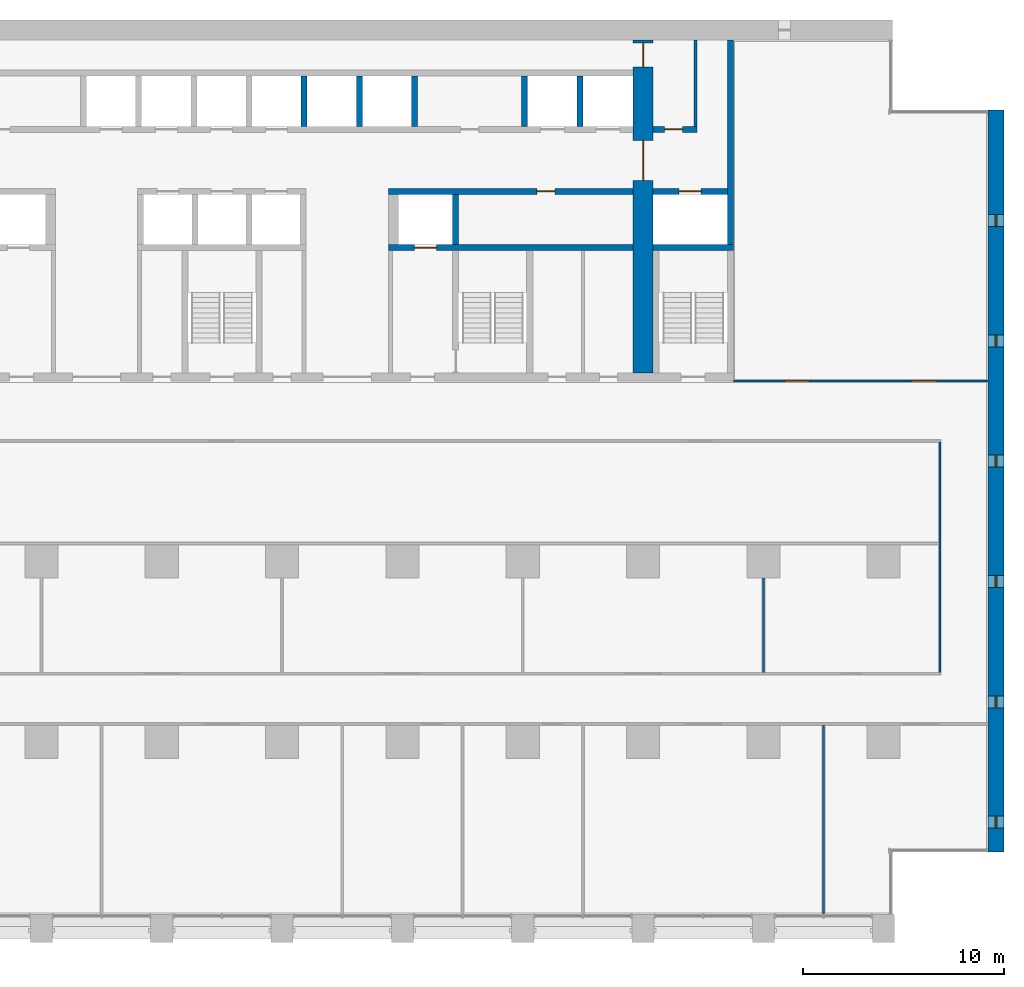
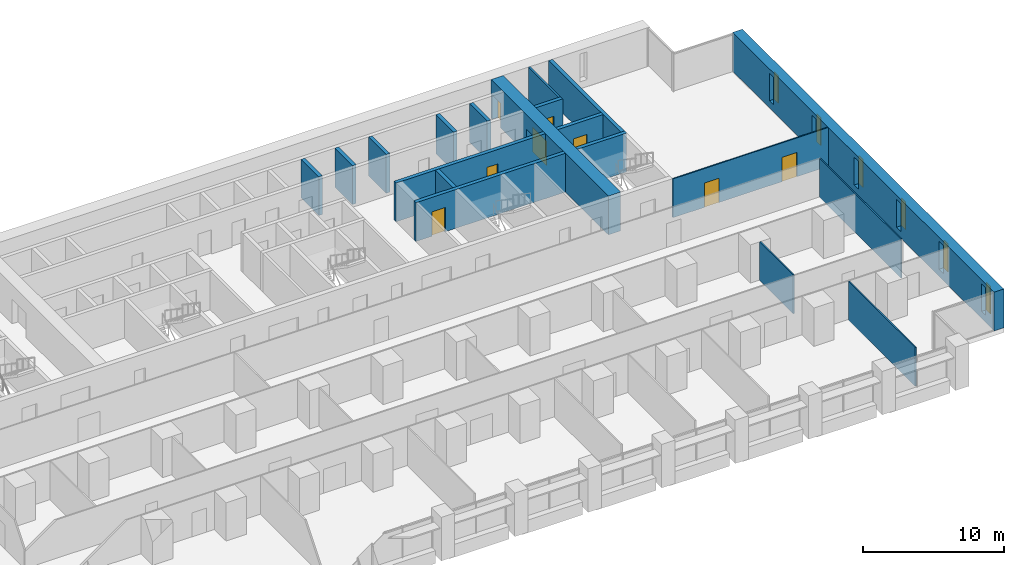
# One storey, part 13 of 18: 19 walls, 8 doors, 6 windows, 14 openings.
"""IFC4 building model written with IfcOpenShell, lengths in metres."""

from ifc_helpers import new_model, si_unit, direction, frame, frame_2d, origin, place, context, subcontext, project, spatial, rectangle, extrude, material, layer, layer_set, type_object, element, fill, save


model = new_model("IFC4")

# Units and contexts
model_context = context("Model", 3, precision=1e-05, world=origin(), true_north=direction((0.0, 1.0)))
body_context = subcontext(model_context, "Body", "Model", "MODEL_VIEW")
ifc_project = project(units=[si_unit("LENGTHUNIT", "METRE"), si_unit("AREAUNIT", "SQUARE_METRE"), si_unit("VOLUMEUNIT", "CUBIC_METRE"), si_unit("PLANEANGLEUNIT", "RADIAN"), si_unit("MASSUNIT", "GRAM", prefix="KILO")], contexts=[model_context])

# Site, building, storey
site_placement = place(None, origin())
site = spatial("IfcSite", under=ifc_project, at=site_placement, CompositionType="ELEMENT")
building_placement = place(site_placement, origin())
building = spatial("IfcBuilding", under=site, at=building_placement, Name="Calvaro Tower", CompositionType="ELEMENT")
storey_placement = place(building_placement, frame((0.0, 0.0, 60.0)))
storey = spatial("IfcBuildingStorey", under=building, at=storey_placement, Name="L14", CompositionType="ELEMENT", Elevation=60.0)

# Wall
ifc_material_1 = material(Name="Blockwork partition", Category="masonry")
ifc_layer_1 = layer(ifc_material_1, 0.14990234375)
ifc_layer_set_1 = layer_set([ifc_layer_1], Name="Blockwork partition")
wall_type_1 = type_object("IfcWallType", Name="Core partition 150 REI 120", PredefinedType="PARTITIONING", material=ifc_layer_set_1)
wall_1_placement = place(storey_placement, frame((62.625, 40.699951171875, 0.0), z_axis=(0.0, 0.0, 1.0), x_axis=(0.0, 1.0, 0.0)))
element("IfcWall", 1, at=wall_1_placement, inside=storey, type_object=wall_type_1, Name="Core partition", PredefinedType="PARTITIONING", context=body_context, shape_type="SweptSolid", body=[
    extrude(rectangle(XDim=4.300048828125, YDim=0.14990234375, at=frame_2d((2.14990234375, 0.0))), origin(), (0.0, 0.0, 1.0), 3.35009765625),
])

# Wall, opening, door
ifc_material_2 = material(Name="Blockwork partition", Category="masonry")
ifc_layer_2 = layer(ifc_material_2, 0.300048828125)
ifc_layer_set_2 = layer_set([ifc_layer_2], Name="Blockwork partition")
wall_type_2 = type_object("IfcWallType", Name="Core partition 300 REI 120", PredefinedType="PARTITIONING", material=ifc_layer_set_2)
wall_2_placement = place(storey_placement, frame((60.5, 40.550048828125, 0.0), z_axis=(0.0, 0.0, 1.0), x_axis=(1.0, 0.0, 0.0)))
wall_2 = element("IfcWall", 2, at=wall_2_placement, inside=storey, type_object=wall_type_2, Name="Core partition", PredefinedType="PARTITIONING", context=body_context, shape_type="SweptSolid", body=[
    extrude(rectangle(XDim=2.199951171875, YDim=0.300048828125, at=frame_2d((1.10009765625, 0.0))), origin(), (0.0, 0.0, 1.0), 3.35009765625),
])
opening_1_placement = place(wall_2_placement, frame((0.574951171875, 0.0, 0.0)))
opening_1 = element("IfcOpeningElement", 3, at=opening_1_placement, cuts=wall_2, Name="Opening RD9E", PredefinedType="OPENING", context=body_context, shape_type="SweptSolid", body=[
    extrude(rectangle(XDim=0.89990234375, YDim=2.10009765625, at=frame_2d((0.449951171875, 1.050048828125))), frame((0.0, 0.159912109375, 0.0), z_axis=(0.0, -1.0, 0.0), x_axis=(1.0, 0.0, 0.0)), (0.0, 0.0, 1.0), 0.320068359375),
])
ifc_material_3 = material(Name="Steel door set", Category="steel")
door_type_1 = type_object("IfcDoorType", Name="Room door 900 FD60", OperationType="SINGLE_SWING_LEFT", PredefinedType="DOOR", material=ifc_material_3)
door_1_placement = place(opening_1_placement, origin())
door_1 = element("IfcDoor", 4, at=door_1_placement, inside=storey, type_object=door_type_1, Name="Room door", OperationType="SINGLE_SWING_LEFT", OverallHeight=2.10009765625, OverallWidth=0.89990234375, PredefinedType="DOOR", context=body_context, shape_type="SweptSolid", body=[
    extrude(rectangle(XDim=0.89990234375, YDim=2.10009765625, at=frame_2d((0.449951171875, 1.050048828125))), frame((0.0, 0.02490234375, 0.0), z_axis=(0.0, -1.0, 0.0), x_axis=(1.0, 0.0, 0.0)), (0.0, 0.0, 1.0), 0.050048828125),
])
fill(opening_1, door_1)

# Wall, openings, doors
ifc_material_4 = material(Name="Concrete C80/95", Category="concrete")
ifc_layer_3 = layer(ifc_material_4, 1.0)
ifc_layer_set_3 = layer_set([ifc_layer_3], Name="Concrete C80/95")
wall_type_3 = type_object("IfcWallType", Name="Core wall C80/95 1000", PredefinedType="SHEAR", material=ifc_layer_set_3)
wall_3_placement = place(storey_placement, frame((60.0, 28.39990234375, 0.0), z_axis=(0.0, 0.0, 1.0), x_axis=(0.0, 1.0, 0.0)))
wall_3 = element("IfcWall", 5, at=wall_3_placement, inside=storey, type_object=wall_type_3, Name="Core wall, cross shear wall", PredefinedType="SHEAR", context=body_context, shape_type="SweptSolid", body=[
    extrude(rectangle(XDim=16.60009765625, YDim=1.0, at=frame_2d((8.300048828125, 0.0))), origin(), (0.0, 0.0, 1.0), 3.35009765625),
])
opening_2_placement = place(wall_3_placement, frame((9.60009765625, 0.0, 0.0)))
opening_2 = element("IfcOpeningElement", 6, at=opening_2_placement, cuts=wall_3, Name="Opening DD20D", PredefinedType="OPENING", context=body_context, shape_type="SweptSolid", body=[
    extrude(rectangle(XDim=2.0, YDim=2.10009765625, at=frame_2d((1.0, 1.050048828125))), frame((0.0, 0.510009765625, 0.0), z_axis=(0.0, -1.0, 0.0), x_axis=(1.0, 0.0, 0.0)), (0.0, 0.0, 1.0), 1.02001953125),
])
opening_3_placement = place(wall_3_placement, frame((15.25, 0.0, 0.0)))
opening_3 = element("IfcOpeningElement", 7, at=opening_3_placement, cuts=wall_3, Name="Opening FD12C", PredefinedType="OPENING", context=body_context, shape_type="SweptSolid", body=[
    extrude(rectangle(XDim=1.199951171875, YDim=2.10009765625, at=frame_2d((0.60009765625, 1.050048828125))), frame((0.0, 0.510009765625, 0.0), z_axis=(0.0, -1.0, 0.0), x_axis=(1.0, 0.0, 0.0)), (0.0, 0.0, 1.0), 1.02001953125),
])
ifc_material_5 = material(Name="Steel door set", Category="steel")
door_type_2 = type_object("IfcDoorType", Name="Fire door 1200 FD30", OperationType="SINGLE_SWING_LEFT", PredefinedType="DOOR", material=ifc_material_5)
door_2_placement = place(opening_3_placement, origin())
door_2 = element("IfcDoor", 8, at=door_2_placement, inside=storey, type_object=door_type_2, Name="Fire door", OperationType="SINGLE_SWING_LEFT", OverallHeight=2.10009765625, OverallWidth=1.199951171875, PredefinedType="DOOR", context=body_context, shape_type="SweptSolid", body=[
    extrude(rectangle(XDim=1.199951171875, YDim=2.10009765625, at=frame_2d((0.60009765625, 1.050048828125))), frame((0.0, 0.02490234375, 0.0), z_axis=(0.0, -1.0, 0.0), x_axis=(1.0, 0.0, 0.0)), (0.0, 0.0, 1.0), 0.050048828125),
])
fill(opening_3, door_2)
ifc_material_6 = material(Name="Steel door set", Category="steel")
door_type_3 = type_object("IfcDoorType", Name="Lobby double door 2000 FD30S", OperationType="DOUBLE_DOOR_SINGLE_SWING", PredefinedType="DOOR", material=ifc_material_6)
door_3_placement = place(opening_2_placement, origin())
door_3 = element("IfcDoor", 9, at=door_3_placement, inside=storey, type_object=door_type_3, Name="Lobby double door", OperationType="DOUBLE_DOOR_SINGLE_SWING", OverallHeight=2.10009765625, OverallWidth=2.0, PredefinedType="DOOR", context=body_context, shape_type="SweptSolid", body=[
    extrude(rectangle(XDim=2.0, YDim=2.10009765625, at=frame_2d((1.0, 1.050048828125))), frame((0.0, 0.02490234375, 0.0), z_axis=(0.0, -1.0, 0.0), x_axis=(1.0, 0.0, 0.0)), (0.0, 0.0, 1.0), 0.050048828125),
])
fill(opening_2, door_3)

# Wall
ifc_material_7 = material(Name="Concrete C80/95", Category="concrete")
ifc_layer_4 = layer(ifc_material_7, 0.300048828125)
ifc_layer_set_4 = layer_set([ifc_layer_4], Name="Concrete C80/95")
wall_type_4 = type_object("IfcWallType", Name="Core wall C80/95 300", PredefinedType="SHEAR", material=ifc_layer_set_4)
wall_4_placement = place(storey_placement, frame((64.35009765625, 34.800048828125, 0.0), z_axis=(0.0, 0.0, 1.0), x_axis=(0.0, 1.0, 0.0)))
element("IfcWall", 10, at=wall_4_placement, inside=storey, type_object=wall_type_4, Name="Core wall, boundary", PredefinedType="SHEAR", context=body_context, shape_type="SweptSolid", body=[
    extrude(rectangle(XDim=10.199951171875, YDim=0.300048828125, at=frame_2d((5.10009765625, 0.0))), origin(), (0.0, 0.0, 1.0), 3.35009765625),
])

# Wall, opening, door
wall_5_placement = place(storey_placement, frame((47.300048828125, 34.64990234375, 0.0), z_axis=(0.0, 0.0, 1.0), x_axis=(1.0, 0.0, 0.0)))
wall_5 = element("IfcWall", 11, at=wall_5_placement, inside=storey, type_object=wall_type_4, Name="Core wall, lift shaft", PredefinedType="SHEAR", context=body_context, shape_type="SweptSolid", body=[
    extrude(rectangle(XDim=12.199951171875, YDim=0.300048828125, at=frame_2d((6.10009765625, 0.0))), origin(), (0.0, 0.0, 1.0), 3.35009765625),
])
opening_4_placement = place(wall_5_placement, frame((1.300048828125, 0.0, 0.0)))
opening_4 = element("IfcOpeningElement", 12, at=opening_4_placement, cuts=wall_5, Name="Opening FF2", PredefinedType="OPENING", context=body_context, shape_type="SweptSolid", body=[
    extrude(rectangle(XDim=1.10009765625, YDim=2.10009765625, at=frame_2d((0.550048828125, 1.050048828125))), frame((0.0, 0.159912109375, 0.0), z_axis=(0.0, -1.0, 0.0), x_axis=(1.0, 0.0, 0.0)), (0.0, 0.0, 1.0), 0.320068359375),
])
ifc_material_8 = material(Name="Stainless steel", Category="steel")
door_type_4 = type_object("IfcDoorType", Name="Landing door 1100 E 60", OperationType="SLIDING_TO_LEFT", PredefinedType="DOOR", material=ifc_material_8)
door_4_placement = place(opening_4_placement, origin())
door_4 = element("IfcDoor", 13, at=door_4_placement, inside=storey, type_object=door_type_4, Name="Landing door FF2", OperationType="SLIDING_TO_LEFT", OverallHeight=2.10009765625, OverallWidth=1.10009765625, PredefinedType="DOOR", context=body_context, shape_type="SweptSolid", body=[
    extrude(rectangle(XDim=1.10009765625, YDim=2.10009765625, at=frame_2d((0.550048828125, 1.050048828125))), frame((0.0, 0.02490234375, 0.0), z_axis=(0.0, -1.0, 0.0), x_axis=(1.0, 0.0, 0.0)), (0.0, 0.0, 1.0), 0.050048828125),
])
fill(opening_4, door_4)

# Wall
wall_6_placement = place(storey_placement, frame((60.5, 34.64990234375, 0.0), z_axis=(0.0, 0.0, 1.0), x_axis=(1.0, 0.0, 0.0)))
element("IfcWall", 14, at=wall_6_placement, inside=storey, type_object=wall_type_4, Name="Core wall, lift shaft", PredefinedType="SHEAR", context=body_context, shape_type="SweptSolid", body=[
    extrude(rectangle(XDim=4.0, YDim=0.300048828125, at=frame_2d((2.0, 0.0))), origin(), (0.0, 0.0, 1.0), 3.35009765625),
])

# Wall, opening, door
wall_7_placement = place(storey_placement, frame((59.5, 37.449951171875, 0.0), z_axis=(0.0, 0.0, 1.0), x_axis=(-1.0, 0.0, 0.0)))
wall_7 = element("IfcWall", 15, at=wall_7_placement, inside=storey, type_object=wall_type_4, Name="Core wall, bay", PredefinedType="SHEAR", context=body_context, shape_type="SweptSolid", body=[
    extrude(rectangle(XDim=12.199951171875, YDim=0.300048828125, at=frame_2d((6.10009765625, 0.0))), origin(), (0.0, 0.0, 1.0), 3.35009765625),
])
opening_5_placement = place(wall_7_placement, frame((3.89990234375, 0.0, 0.0)))
opening_5 = element("IfcOpeningElement", 16, at=opening_5_placement, cuts=wall_7, Name="Opening RD9E", PredefinedType="OPENING", context=body_context, shape_type="SweptSolid", body=[
    extrude(rectangle(XDim=0.89990234375, YDim=2.10009765625, at=frame_2d((0.449951171875, 1.050048828125))), frame((0.0, 0.159912109375, 0.0), z_axis=(0.0, -1.0, 0.0), x_axis=(1.0, 0.0, 0.0)), (0.0, 0.0, 1.0), 0.320068359375),
])
door_5_placement = place(opening_5_placement, origin())
door_5 = element("IfcDoor", 17, at=door_5_placement, inside=storey, type_object=door_type_1, Name="Room door", OperationType="SINGLE_SWING_RIGHT", OverallHeight=2.10009765625, OverallWidth=0.89990234375, PredefinedType="DOOR", context=body_context, shape_type="SweptSolid", body=[
    extrude(rectangle(XDim=0.89990234375, YDim=2.10009765625, at=frame_2d((0.449951171875, 1.050048828125))), frame((0.0, 0.02490234375, 0.0), z_axis=(0.0, -1.0, 0.0), x_axis=(1.0, 0.0, 0.0)), (0.0, 0.0, 1.0), 0.050048828125),
])
fill(opening_5, door_5)

wall_8_placement = place(storey_placement, frame((60.5, 37.449951171875, 0.0), z_axis=(0.0, 0.0, 1.0), x_axis=(1.0, 0.0, 0.0)))
wall_8 = element("IfcWall", 18, at=wall_8_placement, inside=storey, type_object=wall_type_4, Name="Core wall, lift shaft", PredefinedType="SHEAR", context=body_context, shape_type="SweptSolid", body=[
    extrude(rectangle(XDim=3.699951171875, YDim=0.300048828125, at=frame_2d((1.85009765625, 0.0))), origin(), (0.0, 0.0, 1.0), 3.35009765625),
])
opening_6_placement = place(wall_8_placement, frame((1.300048828125, 0.0, 0.0)))
opening_6 = element("IfcOpeningElement", 19, at=opening_6_placement, cuts=wall_8, Name="Opening FF3", PredefinedType="OPENING", context=body_context, shape_type="SweptSolid", body=[
    extrude(rectangle(XDim=1.10009765625, YDim=2.10009765625, at=frame_2d((0.550048828125, 1.050048828125))), frame((0.0, 0.159912109375, 0.0), z_axis=(0.0, -1.0, 0.0), x_axis=(1.0, 0.0, 0.0)), (0.0, 0.0, 1.0), 0.320068359375),
])
door_6_placement = place(opening_6_placement, origin())
door_6 = element("IfcDoor", 20, at=door_6_placement, inside=storey, type_object=door_type_4, Name="Landing door FF3", OperationType="SLIDING_TO_LEFT", OverallHeight=2.10009765625, OverallWidth=1.10009765625, PredefinedType="DOOR", context=body_context, shape_type="SweptSolid", body=[
    extrude(rectangle(XDim=1.10009765625, YDim=2.10009765625, at=frame_2d((0.550048828125, 1.050048828125))), frame((0.0, 0.02490234375, 0.0), z_axis=(0.0, -1.0, 0.0), x_axis=(1.0, 0.0, 0.0)), (0.0, 0.0, 1.0), 0.050048828125),
])
fill(opening_6, door_6)

# Walls
for number, where, z_axis, x_axis, name in (
    (21, (50.64990234375, 34.800048828125, 0.0), (0.0, 0.0, 1.0), (0.0, 1.0, 0.0), "Core wall, lift shaft"),
    (22, (43.10009765625, 40.699951171875, 0.0), (0.0, 0.0, 1.0), (0.0, 1.0, 0.0), "Core wall, lift shaft"),
    (23, (45.85009765625, 40.699951171875, 0.0), (0.0, 0.0, 1.0), (0.0, 1.0, 0.0), "Core wall, lift shaft"),
    (24, (48.60009765625, 40.699951171875, 0.0), (0.0, 0.0, 1.0), (0.0, 1.0, 0.0), "Core wall, lift shaft"),
    (25, (54.10009765625, 40.699951171875, 0.0), (0.0, 0.0, 1.0), (0.0, 1.0, 0.0), "Core wall, lift shaft"),
    (26, (56.85009765625, 40.699951171875, 0.0), (0.0, 0.0, 1.0), (0.0, 1.0, 0.0), "Core wall, lift shaft"),
):
    element("IfcWall", number, at=place(storey_placement, frame(where, z_axis=z_axis, x_axis=x_axis)), inside=storey, type_object=wall_type_4, Name=name, PredefinedType="SHEAR", context=body_context, shape_type="SweptSolid", body=[
        extrude(rectangle(XDim=2.5, YDim=0.300048828125, at=frame_2d((1.25, 0.0))), origin(), (0.0, 0.0, 1.0), 3.35009765625),
    ])

# Wall, openings, windows
ifc_material_9 = material(Name="Concrete C80/95", Category="concrete")
ifc_layer_5 = layer(ifc_material_9, 0.800048828125)
ifc_layer_set_5 = layer_set([ifc_layer_5], Name="Concrete C80/95")
wall_type_5 = type_object("IfcWallType", Name="End wall 800 C80/95", PredefinedType="SHEAR", material=ifc_layer_set_5)
wall_9_placement = place(storey_placement, frame((77.60009765625, 4.5, 0.0), z_axis=(0.0, 0.0, 1.0), x_axis=(0.0, 1.0, 0.0)))
wall_9 = element("IfcWall", 27, at=wall_9_placement, inside=storey, type_object=wall_type_5, Name="End shear wall", PredefinedType="SHEAR", context=body_context, shape_type="SweptSolid", body=[
    extrude(rectangle(XDim=37.0, YDim=0.800048828125, at=frame_2d((18.5, 0.0))), origin(), (0.0, 0.0, 1.0), 3.35009765625),
])
opening_7_placement = place(wall_9_placement, frame((1.199951171875, 0.0, 0.60009765625)))
opening_7 = element("IfcOpeningElement", 28, at=opening_7_placement, cuts=wall_9, Name="Opening WE01", PredefinedType="OPENING", context=body_context, shape_type="SweptSolid", body=[
    extrude(rectangle(XDim=0.60009765625, YDim=2.39990234375, at=frame_2d((0.300048828125, 1.199951171875))), frame((0.0, 0.409912109375, 0.0), z_axis=(0.0, -1.0, 0.0), x_axis=(1.0, 0.0, 0.0)), (0.0, 0.0, 1.0), 0.820068359375),
])
opening_8_placement = place(wall_9_placement, frame((7.199951171875, 0.0, 0.60009765625)))
opening_8 = element("IfcOpeningElement", 29, at=opening_8_placement, cuts=wall_9, Name="Opening WE02", PredefinedType="OPENING", context=body_context, shape_type="SweptSolid", body=[
    extrude(rectangle(XDim=0.60009765625, YDim=2.39990234375, at=frame_2d((0.300048828125, 1.199951171875))), frame((0.0, 0.409912109375, 0.0), z_axis=(0.0, -1.0, 0.0), x_axis=(1.0, 0.0, 0.0)), (0.0, 0.0, 1.0), 0.820068359375),
])
opening_9_placement = place(wall_9_placement, frame((13.199951171875, 0.0, 0.60009765625)))
opening_9 = element("IfcOpeningElement", 30, at=opening_9_placement, cuts=wall_9, Name="Opening WE03", PredefinedType="OPENING", context=body_context, shape_type="SweptSolid", body=[
    extrude(rectangle(XDim=0.60009765625, YDim=2.39990234375, at=frame_2d((0.300048828125, 1.199951171875))), frame((0.0, 0.409912109375, 0.0), z_axis=(0.0, -1.0, 0.0), x_axis=(1.0, 0.0, 0.0)), (0.0, 0.0, 1.0), 0.820068359375),
])
opening_10_placement = place(wall_9_placement, frame((19.199951171875, 0.0, 0.60009765625)))
opening_10 = element("IfcOpeningElement", 31, at=opening_10_placement, cuts=wall_9, Name="Opening WE04", PredefinedType="OPENING", context=body_context, shape_type="SweptSolid", body=[
    extrude(rectangle(XDim=0.60009765625, YDim=2.39990234375, at=frame_2d((0.300048828125, 1.199951171875))), frame((0.0, 0.409912109375, 0.0), z_axis=(0.0, -1.0, 0.0), x_axis=(1.0, 0.0, 0.0)), (0.0, 0.0, 1.0), 0.820068359375),
])
opening_11_placement = place(wall_9_placement, frame((25.199951171875, 0.0, 0.60009765625)))
opening_11 = element("IfcOpeningElement", 32, at=opening_11_placement, cuts=wall_9, Name="Opening WE05", PredefinedType="OPENING", context=body_context, shape_type="SweptSolid", body=[
    extrude(rectangle(XDim=0.60009765625, YDim=2.39990234375, at=frame_2d((0.300048828125, 1.199951171875))), frame((0.0, 0.409912109375, 0.0), z_axis=(0.0, -1.0, 0.0), x_axis=(1.0, 0.0, 0.0)), (0.0, 0.0, 1.0), 0.820068359375),
])
opening_12_placement = place(wall_9_placement, frame((31.199951171875, 0.0, 0.60009765625)))
opening_12 = element("IfcOpeningElement", 33, at=opening_12_placement, cuts=wall_9, Name="Opening WE06", PredefinedType="OPENING", context=body_context, shape_type="SweptSolid", body=[
    extrude(rectangle(XDim=0.60009765625, YDim=2.39990234375, at=frame_2d((0.300048828125, 1.199951171875))), frame((0.0, 0.409912109375, 0.0), z_axis=(0.0, -1.0, 0.0), x_axis=(1.0, 0.0, 0.0)), (0.0, 0.0, 1.0), 0.820068359375),
])
ifc_material_10 = material(Name="Glass", Category="glass")
window_type = type_object("IfcWindowType", Name="Slit window 600 x 2400", PartitioningType="SINGLE_PANEL", PredefinedType="WINDOW", material=ifc_material_10)
window_1_placement = place(opening_7_placement, origin())
window_1 = element("IfcWindow", 34, at=window_1_placement, inside=storey, type_object=window_type, Name="Window WE01", OverallHeight=2.39990234375, OverallWidth=0.60009765625, PartitioningType="SINGLE_PANEL", PredefinedType="WINDOW", context=body_context, shape_type="SweptSolid", body=[
    extrude(rectangle(XDim=0.60009765625, YDim=2.39990234375, at=frame_2d((0.300048828125, 1.199951171875))), frame((0.0, 0.030029296875, 0.0), z_axis=(0.0, -1.0, 0.0), x_axis=(1.0, 0.0, 0.0)), (0.0, 0.0, 1.0), 0.06005859375),
])
fill(opening_7, window_1)
window_2_placement = place(opening_8_placement, origin())
window_2 = element("IfcWindow", 35, at=window_2_placement, inside=storey, type_object=window_type, Name="Window WE02", OverallHeight=2.39990234375, OverallWidth=0.60009765625, PartitioningType="SINGLE_PANEL", PredefinedType="WINDOW", context=body_context, shape_type="SweptSolid", body=[
    extrude(rectangle(XDim=0.60009765625, YDim=2.39990234375, at=frame_2d((0.300048828125, 1.199951171875))), frame((0.0, 0.030029296875, 0.0), z_axis=(0.0, -1.0, 0.0), x_axis=(1.0, 0.0, 0.0)), (0.0, 0.0, 1.0), 0.06005859375),
])
fill(opening_8, window_2)
window_3_placement = place(opening_9_placement, origin())
window_3 = element("IfcWindow", 36, at=window_3_placement, inside=storey, type_object=window_type, Name="Window WE03", OverallHeight=2.39990234375, OverallWidth=0.60009765625, PartitioningType="SINGLE_PANEL", PredefinedType="WINDOW", context=body_context, shape_type="SweptSolid", body=[
    extrude(rectangle(XDim=0.60009765625, YDim=2.39990234375, at=frame_2d((0.300048828125, 1.199951171875))), frame((0.0, 0.030029296875, 0.0), z_axis=(0.0, -1.0, 0.0), x_axis=(1.0, 0.0, 0.0)), (0.0, 0.0, 1.0), 0.06005859375),
])
fill(opening_9, window_3)
window_4_placement = place(opening_10_placement, origin())
window_4 = element("IfcWindow", 37, at=window_4_placement, inside=storey, type_object=window_type, Name="Window WE04", OverallHeight=2.39990234375, OverallWidth=0.60009765625, PartitioningType="SINGLE_PANEL", PredefinedType="WINDOW", context=body_context, shape_type="SweptSolid", body=[
    extrude(rectangle(XDim=0.60009765625, YDim=2.39990234375, at=frame_2d((0.300048828125, 1.199951171875))), frame((0.0, 0.030029296875, 0.0), z_axis=(0.0, -1.0, 0.0), x_axis=(1.0, 0.0, 0.0)), (0.0, 0.0, 1.0), 0.06005859375),
])
fill(opening_10, window_4)
window_5_placement = place(opening_11_placement, origin())
window_5 = element("IfcWindow", 38, at=window_5_placement, inside=storey, type_object=window_type, Name="Window WE05", OverallHeight=2.39990234375, OverallWidth=0.60009765625, PartitioningType="SINGLE_PANEL", PredefinedType="WINDOW", context=body_context, shape_type="SweptSolid", body=[
    extrude(rectangle(XDim=0.60009765625, YDim=2.39990234375, at=frame_2d((0.300048828125, 1.199951171875))), frame((0.0, 0.030029296875, 0.0), z_axis=(0.0, -1.0, 0.0), x_axis=(1.0, 0.0, 0.0)), (0.0, 0.0, 1.0), 0.06005859375),
])
fill(opening_11, window_5)
window_6_placement = place(opening_12_placement, origin())
window_6 = element("IfcWindow", 39, at=window_6_placement, inside=storey, type_object=window_type, Name="Window WE06", OverallHeight=2.39990234375, OverallWidth=0.60009765625, PartitioningType="SINGLE_PANEL", PredefinedType="WINDOW", context=body_context, shape_type="SweptSolid", body=[
    extrude(rectangle(XDim=0.60009765625, YDim=2.39990234375, at=frame_2d((0.300048828125, 1.199951171875))), frame((0.0, 0.030029296875, 0.0), z_axis=(0.0, -1.0, 0.0), x_axis=(1.0, 0.0, 0.0)), (0.0, 0.0, 1.0), 0.06005859375),
])
fill(opening_12, window_6)

# Wall, openings, doors
ifc_material_11 = material(Name="Plasterboard on steel studs", Category="steel")
ifc_layer_6 = layer(ifc_material_11, 0.10009765625)
ifc_layer_set_6 = layer_set([ifc_layer_6], Name="Plasterboard on steel studs")
wall_type_6 = type_object("IfcWallType", Name="Partition 100", PredefinedType="PARTITIONING", material=ifc_layer_set_6)
wall_10_placement = place(storey_placement, frame((64.5, 28.0, 0.0), z_axis=(0.0, 0.0, 1.0), x_axis=(1.0, 0.0, 0.0)))
wall_10 = element("IfcWall", 40, at=wall_10_placement, inside=storey, type_object=wall_type_6, Name="Partition T12.W006", PredefinedType="PARTITIONING", context=body_context, shape_type="SweptSolid", body=[
    extrude(rectangle(XDim=12.699951171875, YDim=0.10009765625, at=frame_2d((6.35009765625, 0.0))), origin(), (0.0, 0.0, 1.0), 3.35009765625),
])
opening_13_placement = place(wall_10_placement, frame((2.574951171875, 0.0, 0.0)))
opening_13 = element("IfcOpeningElement", 41, at=opening_13_placement, cuts=wall_10, Name="Opening T12.020", PredefinedType="OPENING", context=body_context, shape_type="SweptSolid", body=[
    extrude(rectangle(XDim=1.199951171875, YDim=2.10009765625, at=frame_2d((0.60009765625, 1.050048828125))), frame((0.0, 0.06005859375, 0.0), z_axis=(0.0, -1.0, 0.0), x_axis=(1.0, 0.0, 0.0)), (0.0, 0.0, 1.0), 0.1201171875),
])
opening_14_placement = place(wall_10_placement, frame((8.925048828125, 0.0, 0.0)))
opening_14 = element("IfcOpeningElement", 42, at=opening_14_placement, cuts=wall_10, Name="Opening T12.021", PredefinedType="OPENING", context=body_context, shape_type="SweptSolid", body=[
    extrude(rectangle(XDim=1.199951171875, YDim=2.10009765625, at=frame_2d((0.60009765625, 1.050048828125))), frame((0.0, 0.06005859375, 0.0), z_axis=(0.0, -1.0, 0.0), x_axis=(1.0, 0.0, 0.0)), (0.0, 0.0, 1.0), 0.1201171875),
])
ifc_material_12 = material(Name="Timber", Category="wood")
door_type_5 = type_object("IfcDoorType", Name="Internal single door 1200 x 2100", OperationType="SINGLE_SWING_LEFT", PredefinedType="DOOR", material=ifc_material_12)
door_7_placement = place(opening_13_placement, origin())
door_7 = element("IfcDoor", 43, at=door_7_placement, inside=storey, type_object=door_type_5, Name="Door T12.020", OperationType="SINGLE_SWING_LEFT", OverallHeight=2.10009765625, OverallWidth=1.199951171875, PredefinedType="DOOR", context=body_context, shape_type="SweptSolid", body=[
    extrude(rectangle(XDim=1.199951171875, YDim=2.10009765625, at=frame_2d((0.60009765625, 1.050048828125))), frame((0.0, 0.02490234375, 0.0), z_axis=(0.0, -1.0, 0.0), x_axis=(1.0, 0.0, 0.0)), (0.0, 0.0, 1.0), 0.050048828125),
])
fill(opening_13, door_7)
door_8_placement = place(opening_14_placement, origin())
door_8 = element("IfcDoor", 44, at=door_8_placement, inside=storey, type_object=door_type_5, Name="Door T12.021", OperationType="SINGLE_SWING_RIGHT", OverallHeight=2.10009765625, OverallWidth=1.199951171875, PredefinedType="DOOR", context=body_context, shape_type="SweptSolid", body=[
    extrude(rectangle(XDim=1.199951171875, YDim=2.10009765625, at=frame_2d((0.60009765625, 1.050048828125))), frame((0.0, 0.02490234375, 0.0), z_axis=(0.0, -1.0, 0.0), x_axis=(1.0, 0.0, 0.0)), (0.0, 0.0, 1.0), 0.050048828125),
])
fill(opening_14, door_8)

# Walls
wall_11_placement = place(storey_placement, frame((66.0, 13.449951171875, 0.0), z_axis=(0.0, 0.0, 1.0), x_axis=(0.0, 1.0, 0.0)))
element("IfcWall", 45, at=wall_11_placement, inside=storey, type_object=wall_type_6, Name="Partition T12.W019", PredefinedType="PARTITIONING", context=body_context, shape_type="SweptSolid", body=[
    extrude(rectangle(XDim=4.72509765625, YDim=0.10009765625, at=frame_2d((2.362548828125, 0.0))), origin(), (0.0, 0.0, 1.0), 3.35009765625),
])
wall_12_placement = place(storey_placement, frame((69.0, 1.39990234375, 0.0), z_axis=(0.0, 0.0, 1.0), x_axis=(0.0, 1.0, 0.0)))
element("IfcWall", 46, at=wall_12_placement, inside=storey, type_object=wall_type_6, Name="Partition T12.W020", PredefinedType="PARTITIONING", context=body_context, shape_type="SweptSolid", body=[
    extrude(rectangle(XDim=9.4501953125, YDim=0.10009765625, at=frame_2d((4.72509765625, 0.0))), origin(), (0.0, 0.0, 1.0), 3.35009765625),
])
wall_13_placement = place(storey_placement, frame((74.800048828125, 13.449951171875, 0.0), z_axis=(0.0, 0.0, 1.0), x_axis=(0.0, 1.0, 0.0)))
element("IfcWall", 47, at=wall_13_placement, inside=storey, type_object=wall_type_6, Name="Partition T12.W021", PredefinedType="PARTITIONING", context=body_context, shape_type="SweptSolid", body=[
    extrude(rectangle(XDim=11.5, YDim=0.10009765625, at=frame_2d((5.75, 0.0))), origin(), (0.0, 0.0, 1.0), 3.35009765625),
])

save(model, "model.ifc")
